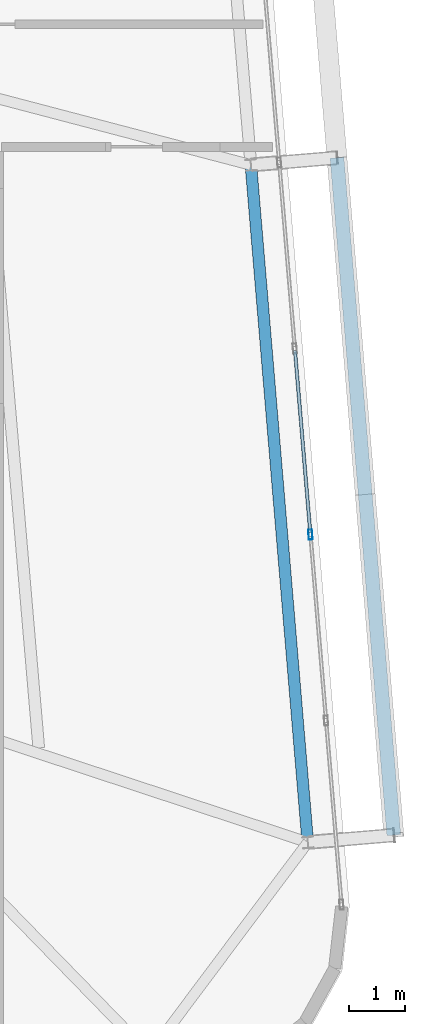
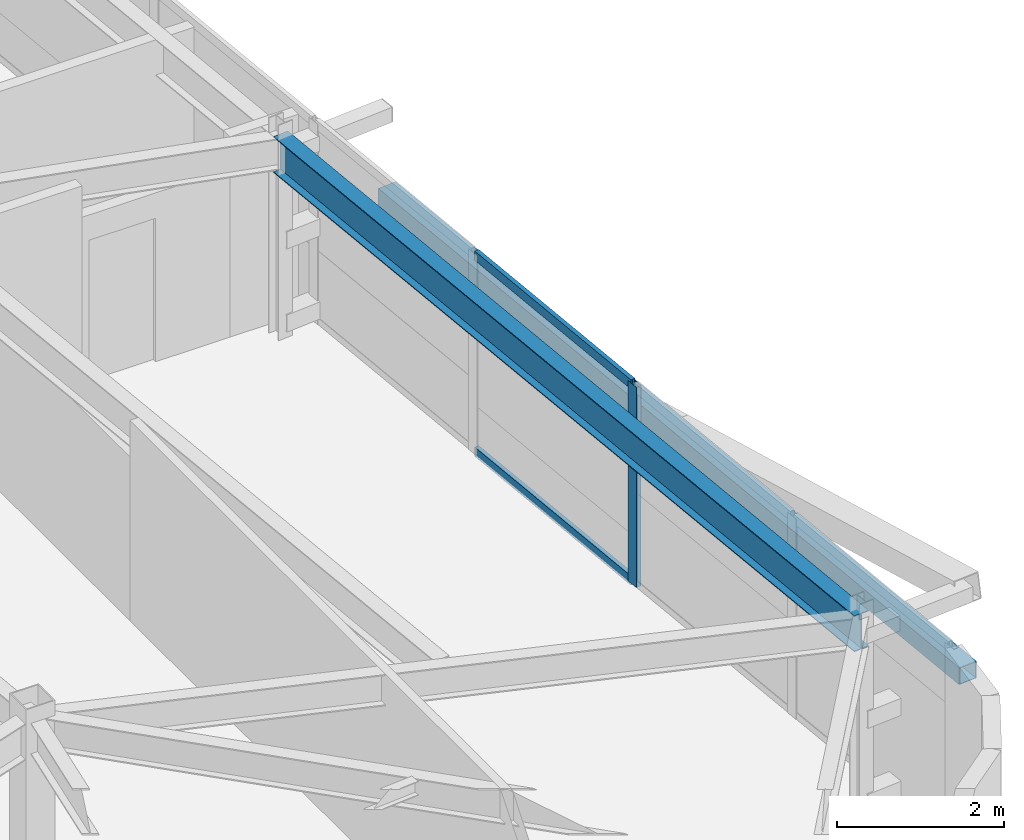
# One storey, part 23 of 46: 4 members, 1 beam, 1 element without a shape of its own.
"""IFC4 building model written with IfcOpenShell, lengths in metres."""

from ifc_helpers import new_model, si_unit, direction, frame, origin, origin_2d, place, context, subcontext, project, spatial, hollow_rectangle, i_section, extrude, source, transform, mapped, material, layer, layer_set, material_profile, profile_set, type_object, element, aggregate, save


model = new_model("IFC4")

# Units and contexts
model_context = context("Model", 3, precision=1e-05, world=origin(), true_north=direction((0.0, 1.0)))
body_context = subcontext(model_context, "Body", "Model", "MODEL_VIEW")
ifc_project = project(units=[si_unit("LENGTHUNIT", "METRE"), si_unit("AREAUNIT", "SQUARE_METRE"), si_unit("VOLUMEUNIT", "CUBIC_METRE"), si_unit("PLANEANGLEUNIT", "RADIAN"), si_unit("MASSUNIT", "GRAM", prefix="KILO")], contexts=[model_context])

# Site, building, storey
site_placement = place(None, origin())
site = spatial("IfcSite", under=ifc_project, at=site_placement, CompositionType="ELEMENT")
building_placement = place(site_placement, origin())
building = spatial("IfcBuilding", under=site, at=building_placement, Name="Taldren Reach Tower", CompositionType="ELEMENT")
storey_placement = place(building_placement, frame((0.0, 0.0, 188.300048828125)))
storey = spatial("IfcBuildingStorey", under=building, at=storey_placement, Name="L57", CompositionType="ELEMENT", Elevation=188.300048828125)

# Beam
ifc_material_1 = material(Name="Steel Gr 350 (350PLUS)", Category="steel")
ifc_material_profile_1 = material_profile(ifc_material_1, i_section(OverallWidth=0.208984375, OverallDepth=0.528076171875, WebThickness=0.009521484375, FlangeThickness=0.01318359375, at=origin_2d()), Name="530UB82.0")
ifc_profile_set_1 = profile_set([ifc_material_profile_1], Name="Steel Gr 350 (350PLUS)")
beam_type = type_object("IfcBeamType", Name="SP-UB530B", PredefinedType="SPANDREL", material=ifc_profile_set_1)
shared_shape_1 = source(origin(), body_context, "Body", "SweptSolid", [
    extrude(i_section(OverallWidth=0.208984375, OverallDepth=0.528076171875, WebThickness=0.009521484375, FlangeThickness=0.01318359375, at=origin_2d()), origin(), (0.0, 0.0, 1.0), 12.199951171875),
])
beam_placement = place(storey_placement, frame((61.63818359375, 9.317626953125, 2.666015625), z_axis=(-0.083688038336, 0.996492003099, 0.0), x_axis=(-0.996492003099, -0.083688038336, 0.0)))
element("IfcBeam", 1, at=beam_placement, inside=storey, type_object=beam_type, Name="Perimeter spandrel B4 E1-E2 L57", PredefinedType="SPANDREL", context=body_context, shape_type="MappedRepresentation", body=[
    mapped(shared_shape_1, transform((0.0, 0.0, 0.0), scale=1.0)),
])

# Member
ifc_material_2 = material(Name="Steel Gr 350 (C350L0)", Category="steel")
ifc_material_profile_2 = material_profile(ifc_material_2, hollow_rectangle(XDim=0.25, YDim=0.25, WallThickness=0.010009765625, at=origin_2d()), Name="250x250x10.0SHS")
ifc_profile_set_2 = profile_set([ifc_material_profile_2], Name="Steel Gr 350 (C350L0)")
member_type_1 = type_object("IfcMemberType", Name="MB-POST250", PredefinedType="POST", material=ifc_profile_set_2)
shared_shape_2 = source(origin(), body_context, "Body", "SweptSolid", [
    extrude(hollow_rectangle(XDim=0.25, YDim=0.25, WallThickness=0.010009765625, at=origin_2d()), origin(), (0.0, 0.0, 1.0), 12.199951171875),
])
member_1_placement = place(storey_placement, frame((63.1826171875, 9.447265625, 1.43505859375), z_axis=(-0.083668166953, 0.99649367175, 0.0), x_axis=(-0.99649367175, -0.083668166953, 0.0)))
element("IfcMember", 2, at=member_1_placement, inside=storey, type_object=member_type_1, Name="Exoskeleton mid-height ring chord B4-E1 L57", PredefinedType="POST", context=body_context, shape_type="MappedRepresentation", body=[
    mapped(shared_shape_2, transform((0.0, 0.0, 0.0), scale=1.0)),
])

# Curtain wall, members
ifc_material_3 = material(Name="Aluminium and Low-E Glass Unitised System", Category="aluminium")
ifc_layer = layer(ifc_material_3, 0.159912109375)
ifc_layer_set = layer_set([ifc_layer], Name="Aluminium and Low-E Glass Unitised System")
curtain_wall_type = type_object("IfcCurtainWallType", Name="CW-SYS-5", PredefinedType="NOTDEFINED", material=ifc_layer_set)
curtain_wall_placement = place(storey_placement, origin())
curtain_wall = element("IfcCurtainWall", 3, at=curtain_wall_placement, inside=storey, type_object=curtain_wall_type, Name="Unitised curtain wall CW-L57-E", PredefinedType="NOTDEFINED")
ifc_material_4 = material(Name="Anodised Aluminium 6063-T6", Category="aluminium")
ifc_material_profile_3 = material_profile(ifc_material_4, hollow_rectangle(XDim=0.070068359375, YDim=0.179931640625, WallThickness=0.00390625, at=origin_2d()), Name="ALU-180x70x4RHS")
ifc_profile_set_3 = profile_set([ifc_material_profile_3], Name="Anodised Aluminium 6063-T6")
member_type_2 = type_object("IfcMemberType", Name="CW-MUL-180", PredefinedType="MULLION", material=ifc_profile_set_3)
shared_shape_3 = source(origin(), body_context, "Body", "SweptSolid", [
    extrude(hollow_rectangle(XDim=0.070068359375, YDim=0.179931640625, WallThickness=0.00390625, at=origin_2d()), origin(), (0.0, 0.0, 1.0), 2.929931640625),
])
member_2_placement = place(storey_placement, frame((61.68603515625, 14.841064453125, 0.0), z_axis=(0.0, 0.0, 1.0), x_axis=(-0.996492847789, -0.083677979808, 0.0)))
member_2 = element("IfcMember", 4, at=member_2_placement, type_object=member_type_2, Name="CW-5 mullion 3", PredefinedType="MULLION", context=body_context, shape_type="MappedRepresentation", body=[
    mapped(shared_shape_3, transform((0.0, 0.0, 0.0), scale=1.0)),
])
ifc_material_profile_4 = material_profile(ifc_material_4, hollow_rectangle(XDim=0.06005859375, YDim=0.135009765625, WallThickness=0.00341796875, at=origin_2d()), Name="ALU-135x60x3.5RHS")
ifc_profile_set_4 = profile_set([ifc_material_profile_4], Name="Anodised Aluminium 6063-T6")
member_type_3 = type_object("IfcMemberType", Name="CW-TRN-150", PredefinedType="USERDEFINED", material=ifc_profile_set_4)
shared_shape_4 = source(origin(), body_context, "Body", "SweptSolid", [
    extrude(hollow_rectangle(XDim=0.06005859375, YDim=0.135009765625, WallThickness=0.00341796875, at=origin_2d()), origin(), (0.0, 0.0, 1.0), 3.280029296875),
])
member_3_placement = place(storey_placement, frame((61.68310546875, 14.875732421875, 0.030029296875), z_axis=(-0.083661452101, 0.996494235524, 0.0), x_axis=(-0.996494235524, -0.083661452101, 0.0)))
member_3 = element("IfcMember", 5, at=member_3_placement, type_object=member_type_3, Name="CW-5 transom 3.1", ObjectType="TRANSOM", PredefinedType="USERDEFINED", context=body_context, shape_type="MappedRepresentation", body=[
    mapped(shared_shape_4, transform((0.0, 0.0, 0.0), scale=1.0)),
])
member_4_placement = place(storey_placement, frame((61.68310546875, 14.875732421875, 2.89990234375), z_axis=(-0.083661452101, 0.996494235524, 0.0), x_axis=(-0.996494235524, -0.083661452101, 0.0)))
member_4 = element("IfcMember", 6, at=member_4_placement, type_object=member_type_3, Name="CW-5 transom 3.2", ObjectType="TRANSOM", PredefinedType="USERDEFINED", context=body_context, shape_type="MappedRepresentation", body=[
    mapped(shared_shape_4, transform((0.0, 0.0, 0.0), scale=1.0)),
])
aggregate(curtain_wall, [member_2, member_3, member_4])

save(model, "model.ifc")
